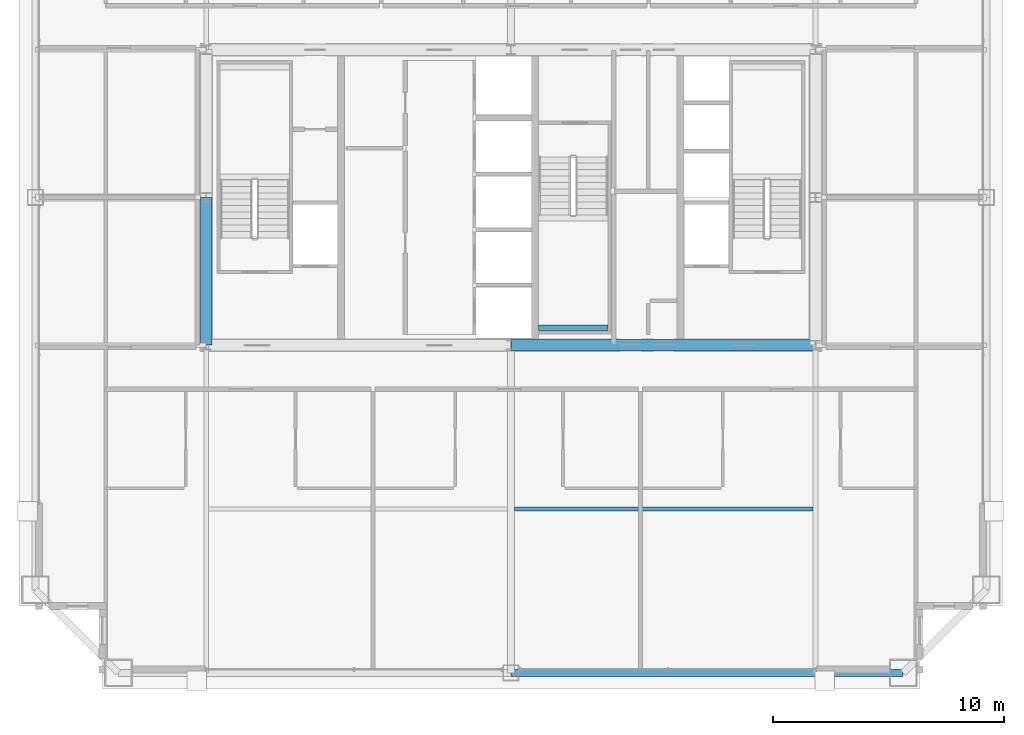
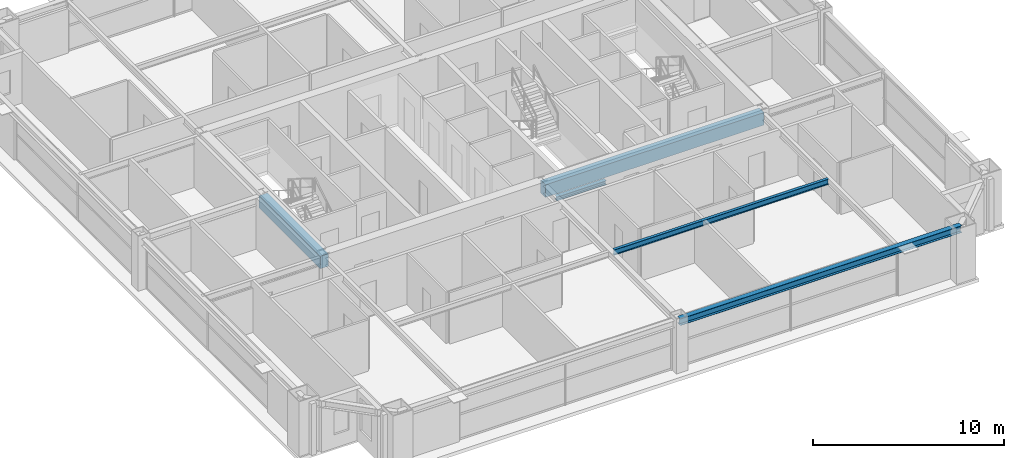
# One storey, part 12 of 36: 5 beams.
"""IFC4 building model written with IfcOpenShell, lengths in metres."""

from ifc_helpers import new_model, si_unit, direction, frame, origin, origin_2d, place, context, subcontext, project, spatial, rectangle, i_section, extrude, source, transform, mapped, material, material_profile, profile_set, type_object, element, save


model = new_model("IFC4")

# Units and contexts
model_context = context("Model", 3, precision=1e-05, world=origin(), true_north=direction((0.0, 1.0)))
body_context = subcontext(model_context, "Body", "Model", "MODEL_VIEW")
ifc_project = project(units=[si_unit("LENGTHUNIT", "METRE"), si_unit("AREAUNIT", "SQUARE_METRE"), si_unit("VOLUMEUNIT", "CUBIC_METRE"), si_unit("PLANEANGLEUNIT", "RADIAN"), si_unit("MASSUNIT", "GRAM", prefix="KILO"), si_unit("THERMODYNAMICTEMPERATUREUNIT", "KELVIN"), si_unit("POWERUNIT", "WATT")], contexts=[model_context])

# Site, building, storey
site_placement = place(None, origin())
site = spatial("IfcSite", under=ifc_project, at=site_placement, CompositionType="ELEMENT")
building_placement = place(site_placement, origin())
building = spatial("IfcBuilding", under=site, at=building_placement, Name="Yuzanri Waterfront Tower", CompositionType="ELEMENT")
storey_placement = place(building_placement, frame((0.0, 0.0, 238.10009765625)))
storey = spatial("IfcBuildingStorey", under=building, at=storey_placement, Name="L63", CompositionType="ELEMENT", Elevation=238.10009765625)

# Beams
ifc_material_1 = material(Name="Concrete C50", Category="concrete")
ifc_material_profile_1 = material_profile(ifc_material_1, rectangle(XDim=0.5, YDim=0.800048828125, at=origin_2d()), Name="RC 500x800")
ifc_profile_set_1 = profile_set([ifc_material_profile_1], Name="Concrete C50")
beam_type_1 = type_object("IfcBeamType", Name="Core Coupling Lintel Concrete C50 500x800", PredefinedType="LINTEL", material=ifc_profile_set_1)
shared_shape_1 = source(origin(), body_context, "Body", "SweptSolid", [
    extrude(rectangle(XDim=0.5, YDim=0.800048828125, at=origin_2d()), origin(), (0.0, 0.0, 1.0), 13.199951171875),
])
beam_1_placement = place(storey_placement, frame((37.0, 19.39990234375, 2.8798828125), z_axis=(1.0, 0.0, 0.0), x_axis=(0.0, 1.0, 0.0)))
element("IfcBeam", 1, at=beam_1_placement, inside=storey, type_object=beam_type_1, Name="L63 Core Tie Beam CS2", PredefinedType="LINTEL", context=body_context, shape_type="MappedRepresentation", body=[
    mapped(shared_shape_1, transform((0.0, 0.0, 0.0), scale=1.0)),
])
shared_shape_2 = source(origin(), body_context, "Body", "SweptSolid", [
    extrude(rectangle(XDim=0.5, YDim=0.800048828125, at=origin_2d()), origin(), (0.0, 0.0, 1.0), 6.400146484375),
])
beam_2_placement = place(storey_placement, frame((23.800048828125, 19.39990234375, 2.8798828125), z_axis=(0.0, 1.0, 0.0), x_axis=(-1.0, 0.0, 0.0)))
element("IfcBeam", 2, at=beam_2_placement, inside=storey, type_object=beam_type_1, Name="L63 Core Tie Beam CW1", PredefinedType="LINTEL", context=body_context, shape_type="MappedRepresentation", body=[
    mapped(shared_shape_2, transform((0.0, 0.0, 0.0), scale=1.0)),
])
ifc_material_2 = material(Name="Steel Q355B", Category="steel")
ifc_material_profile_2 = material_profile(ifc_material_2, i_section(OverallWidth=0.300048828125, OverallDepth=0.43994140625, WebThickness=0.010986328125, FlangeThickness=0.01806640625, at=origin_2d()), Name="HM 440x300x11x18")
ifc_profile_set_2 = profile_set([ifc_material_profile_2], Name="Steel Q355B")
beam_type_2 = type_object("IfcBeamType", Name="Perimeter Spandrel Q355B HM 440x300", PredefinedType="SPANDREL", material=ifc_profile_set_2)
shared_shape_3 = source(origin(), body_context, "Body", "SweptSolid", [
    extrude(i_section(OverallWidth=0.300048828125, OverallDepth=0.43994140625, WebThickness=0.010986328125, FlangeThickness=0.01806640625, at=origin_2d()), origin(), (0.0, 0.0, 1.0), 17.0),
])
beam_3_placement = place(storey_placement, frame((37.0, 5.199951171875, 3.059814453125), z_axis=(1.0, 0.0, 0.0), x_axis=(0.0, 1.0, 0.0)))
element("IfcBeam", 3, at=beam_3_placement, inside=storey, type_object=beam_type_2, Name="L63 Perimeter Spandrel S2-S3", PredefinedType="SPANDREL", context=body_context, shape_type="MappedRepresentation", body=[
    mapped(shared_shape_3, transform((0.0, 0.0, 0.0), scale=1.0)),
])
ifc_material_3 = material(Name="Steel Q355B", Category="steel")
ifc_material_profile_3 = material_profile(ifc_material_3, i_section(OverallWidth=0.175048828125, OverallDepth=0.35009765625, WebThickness=0.007080078125, FlangeThickness=0.010986328125, at=origin_2d()), Name="HN 350x175x7x11")
ifc_profile_set_3 = profile_set([ifc_material_profile_3], Name="Steel Q355B")
beam_type_3 = type_object("IfcBeamType", Name="Floor Joist Q355B HN 350x175", PredefinedType="JOIST", material=ifc_profile_set_3)
shared_shape_4 = source(origin(), body_context, "Body", "SweptSolid", [
    extrude(i_section(OverallWidth=0.175048828125, OverallDepth=0.35009765625, WebThickness=0.007080078125, FlangeThickness=0.010986328125, at=origin_2d()), origin(), (0.0, 0.0, 1.0), 12.9501953125),
])
beam_4_placement = place(storey_placement, frame((37.14990234375, 12.300048828125, 3.10498046875), z_axis=(1.0, 0.0, 0.0), x_axis=(0.0, 1.0, 0.0)))
element("IfcBeam", 4, at=beam_4_placement, inside=storey, type_object=beam_type_3, Name="L63 South Bay Joist E", PredefinedType="JOIST", context=body_context, shape_type="MappedRepresentation", body=[
    mapped(shared_shape_4, transform((0.0, 0.0, 0.0), scale=1.0)),
])
ifc_material_4 = material(Name="Steel Q355B", Category="steel")
ifc_material_profile_4 = material_profile(ifc_material_4, i_section(OverallWidth=0.25, OverallDepth=0.25, WebThickness=0.009033203125, FlangeThickness=0.013916015625, at=origin_2d()), Name="HW 250x250x9x14")
ifc_profile_set_4 = profile_set([ifc_material_profile_4], Name="Steel Q355B")
beam_type_4 = type_object("IfcBeamType", Name="Stair Landing Support Beam Q355B HW 250x250", PredefinedType="BEAM", material=ifc_profile_set_4)
shared_shape_5 = source(origin(), body_context, "Body", "SweptSolid", [
    extrude(i_section(OverallWidth=0.25, OverallDepth=0.25, WebThickness=0.009033203125, FlangeThickness=0.013916015625, at=origin_2d()), origin(), (0.0, 0.0, 1.0), 3.0),
])
beam_5_placement = place(storey_placement, frame((38.199951171875, 20.14990234375, 1.4248046875), z_axis=(1.0, 0.0, 0.0), x_axis=(0.0, 1.0, 0.0)))
element("IfcBeam", 5, at=beam_5_placement, inside=storey, type_object=beam_type_4, Name="L63 Stair Landing Support Beam ST-03-L63-L1-1", PredefinedType="BEAM", context=body_context, shape_type="MappedRepresentation", body=[
    mapped(shared_shape_5, transform((0.0, 0.0, 0.0), scale=1.0)),
])

save(model, "model.ifc")
